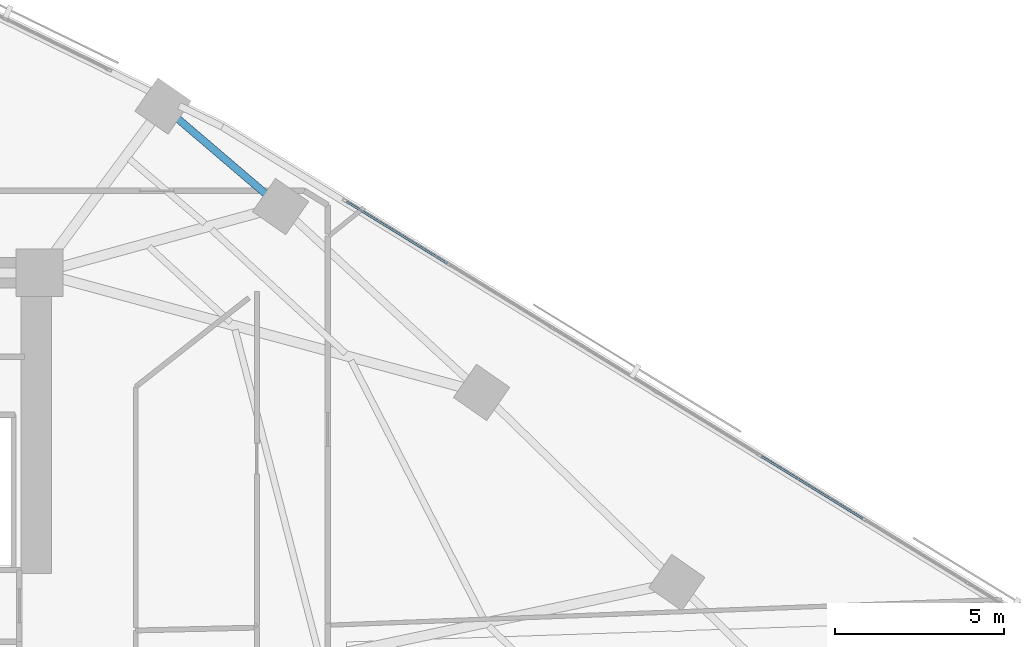
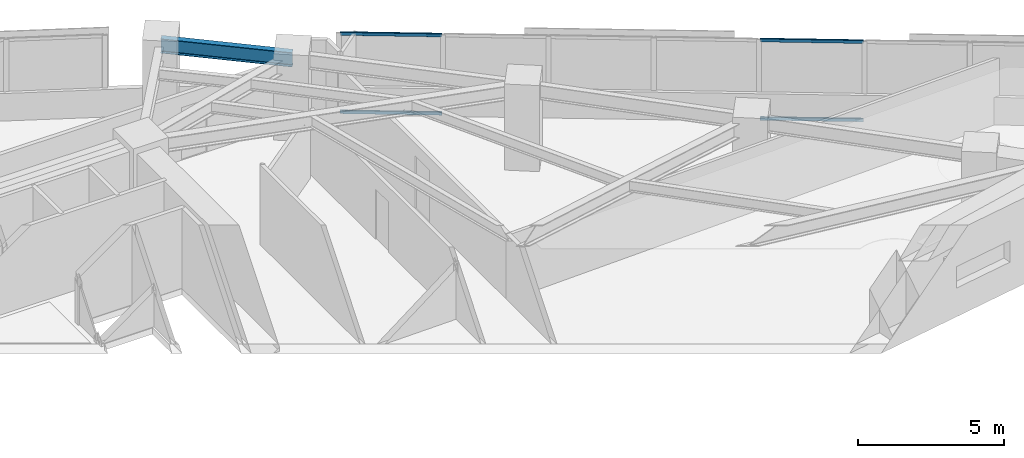
# One storey, part 7 of 19: 4 members, 1 beam, 1 element without a shape of its own.
"""IFC4 building model written with IfcOpenShell, lengths in metres."""

from ifc_helpers import new_model, si_unit, direction, frame, origin, origin_2d, place, context, subcontext, project, spatial, hollow_rectangle, i_section, extrude, material, material_profile, profile_set, type_object, element, aggregate, save


model = new_model("IFC4")

# Units and contexts
model_context = context("Model", 3, precision=1e-05, world=origin(), true_north=direction((0.0, 1.0)))
body_context = subcontext(model_context, "Body", "Model", "MODEL_VIEW")
ifc_project = project(units=[si_unit("LENGTHUNIT", "METRE"), si_unit("AREAUNIT", "SQUARE_METRE"), si_unit("VOLUMEUNIT", "CUBIC_METRE"), si_unit("PLANEANGLEUNIT", "RADIAN"), si_unit("MASSUNIT", "GRAM", prefix="KILO")], contexts=[model_context])

# Site, building, storey
site_placement = place(None, origin())
site = spatial("IfcSite", under=ifc_project, at=site_placement, CompositionType="ELEMENT")
building_placement = place(site_placement, origin())
building = spatial("IfcBuilding", under=site, at=building_placement, Name="Narakoshi Arena Tower", CompositionType="ELEMENT")
storey_placement = place(building_placement, frame((0.0, 0.0, 113.699951171875)))
storey = spatial("IfcBuildingStorey", under=building, at=storey_placement, Name="L30", CompositionType="ELEMENT", Elevation=113.699951171875)

# Beam
ifc_material_1 = material(Name="Structural steel S355J2", Category="steel")
ifc_material_profile_1 = material_profile(ifc_material_1, i_section(OverallWidth=0.219970703125, OverallDepth=0.60009765625, WebThickness=0.011962890625, FlangeThickness=0.01904296875, FilletRadius=0.02392578125, at=origin_2d()), Name="IPE600")
ifc_profile_set_1 = profile_set([ifc_material_profile_1], Name="Structural steel S355J2")
beam_type = type_object("IfcBeamType", Name="BM-EDGE-600", PredefinedType="BEAM", material=ifc_profile_set_1)
beam_placement = place(storey_placement, frame((92.68994140625, 58.462890625, 3.0400390625), z_axis=(-0.760410417533, 0.64944283575, 0.0), x_axis=(-0.64944283575, -0.760410417533, 0.0)))
element("IfcBeam", 1, at=beam_placement, inside=storey, type_object=beam_type, Name="L30 Perimeter Edge Girder 07", PredefinedType="BEAM", context=body_context, shape_type="SweptSolid", body=[
    extrude(i_section(OverallWidth=0.219970703125, OverallDepth=0.60009765625, WebThickness=0.011962890625, FlangeThickness=0.01904296875, FilletRadius=0.02392578125, at=origin_2d()), origin(), (0.0, 0.0, 1.0), 4.58056640625),
])

# Curtain wall, members
ifc_material_2 = material(Name="Anodised bronze aluminium 6063-T6", Category="aluminium")
curtain_wall_type = type_object("IfcCurtainWallType", Name="CW-HYP-LOW", PredefinedType="NOTDEFINED", material=ifc_material_2)
curtain_wall_placement = place(storey_placement, origin())
curtain_wall = element("IfcCurtainWall", 2, at=curtain_wall_placement, inside=storey, type_object=curtain_wall_type, Name="L30 Folded Hypotenuse Curtain Wall 1-1", PredefinedType="NOTDEFINED")
ifc_material_profile_2 = material_profile(ifc_material_2, hollow_rectangle(XDim=0.06494140625, YDim=0.1298828125, WallThickness=0.00390625, OuterFilletRadius=0.0048828125, at=origin_2d()), Name="TRN130x65x4")
ifc_profile_set_2 = profile_set([ifc_material_profile_2], Name="Anodised bronze aluminium 6063-T6")
member_type = type_object("IfcMemberType", Name="MEM-TRN-130", PredefinedType="USERDEFINED", material=ifc_profile_set_2)
member_1_placement = place(storey_placement, frame((109.931884765625, 49.218017578125, 0.032470703125), z_axis=(-0.852103699909, 0.523372988032, 0.0), x_axis=(-0.523372988032, -0.852103699909, 0.0)))
member_1 = element("IfcMember", 3, at=member_1_placement, type_object=member_type, Name="CW-01 transom 4.1", ObjectType="TRANSOM", PredefinedType="USERDEFINED", context=body_context, shape_type="SweptSolid", body=[
    extrude(hollow_rectangle(XDim=0.06494140625, YDim=0.1298828125, WallThickness=0.00390625, OuterFilletRadius=0.0048828125, at=origin_2d()), origin(), (0.0, 0.0, 1.0), 3.535888671875),
])
member_2_placement = place(storey_placement, frame((109.931884765625, 49.218017578125, 3.3076171875), z_axis=(-0.852103699909, 0.523372988032, 0.0), x_axis=(-0.523372988032, -0.852103699909, 0.0)))
member_2 = element("IfcMember", 4, at=member_2_placement, type_object=member_type, Name="CW-01 transom 4.2", ObjectType="TRANSOM", PredefinedType="USERDEFINED", context=body_context, shape_type="SweptSolid", body=[
    extrude(hollow_rectangle(XDim=0.06494140625, YDim=0.1298828125, WallThickness=0.00390625, OuterFilletRadius=0.0048828125, at=origin_2d()), origin(), (0.0, 0.0, 1.0), 3.535888671875),
])
member_3_placement = place(storey_placement, frame((97.624267578125, 56.777099609375, 0.032470703125), z_axis=(-0.852089324923, 0.52339639123, 0.0), x_axis=(-0.52339639123, -0.852089324923, 0.0)))
member_3 = element("IfcMember", 5, at=member_3_placement, type_object=member_type, Name="CW-01 transom 8.1", ObjectType="TRANSOM", PredefinedType="USERDEFINED", context=body_context, shape_type="SweptSolid", body=[
    extrude(hollow_rectangle(XDim=0.06494140625, YDim=0.1298828125, WallThickness=0.00390625, OuterFilletRadius=0.0048828125, at=origin_2d()), origin(), (0.0, 0.0, 1.0), 3.498291015625),
])
member_4_placement = place(storey_placement, frame((97.624267578125, 56.777099609375, 3.3076171875), z_axis=(-0.852089324923, 0.52339639123, 0.0), x_axis=(-0.52339639123, -0.852089324923, 0.0)))
member_4 = element("IfcMember", 6, at=member_4_placement, type_object=member_type, Name="CW-01 transom 8.2", ObjectType="TRANSOM", PredefinedType="USERDEFINED", context=body_context, shape_type="SweptSolid", body=[
    extrude(hollow_rectangle(XDim=0.06494140625, YDim=0.1298828125, WallThickness=0.00390625, OuterFilletRadius=0.0048828125, at=origin_2d()), origin(), (0.0, 0.0, 1.0), 3.498291015625),
])
aggregate(curtain_wall, [member_1, member_2, member_3, member_4])

save(model, "model.ifc")
